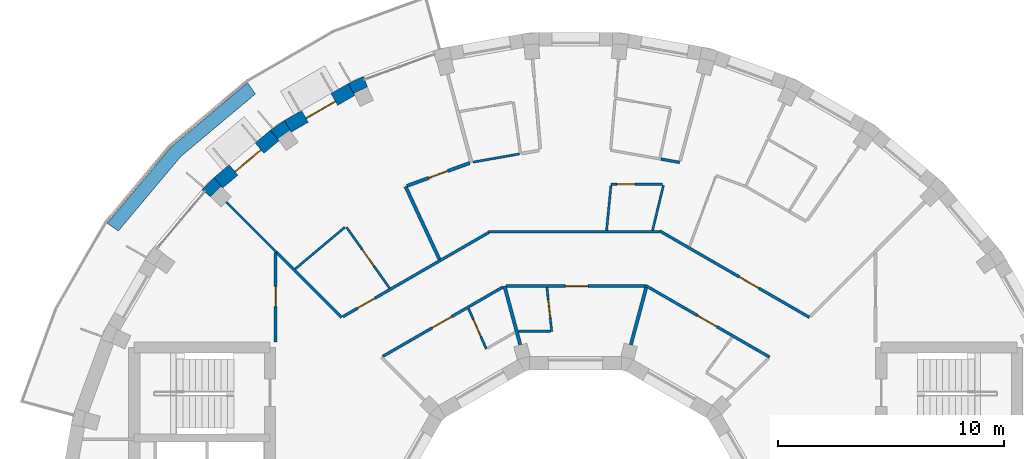
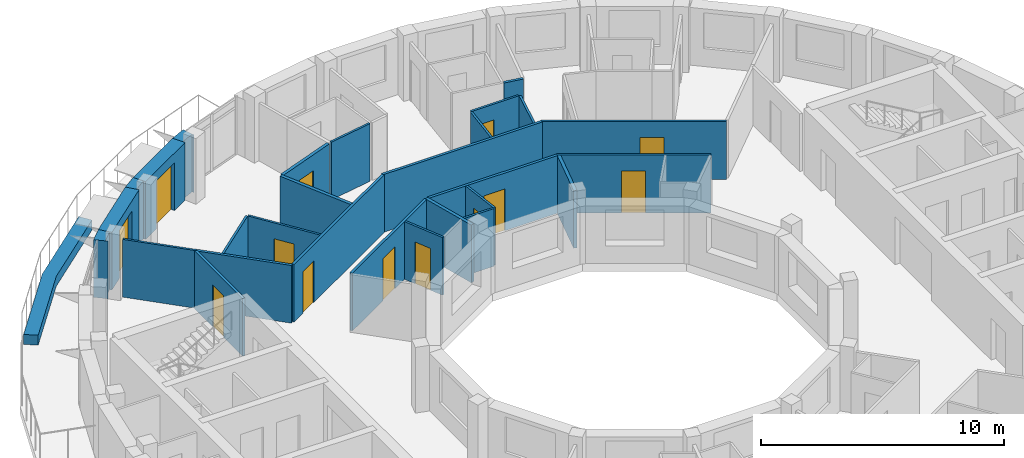
# One storey, part 9 of 12: 29 walls, 13 doors, 13 openings.
"""IFC4 building model written with IfcOpenShell, lengths in metres."""

import ifcopenshell
import ifcopenshell.guid

model = None  # the IFC model being written
_history = None  # IfcOwnerHistory: only IFC2X3 demands one
_inside = {}  # id of a spatial element -> (the spatial element, [elements in it])
_under = {}  # id of a project, library or spatial element -> (it, [spatial elements below it])
_declared = {}  # id of a project -> (the project, [libraries it declares])
_typed = {}  # id of a type object -> (the type object, [elements of that type])
_made_of = {}  # id of a material, layer set ... -> (it, [elements and type objects made of it])


def new_model(schema):
    """Start an empty IFC model of exactly this schema.

    Asked for "IFC4X3", IfcOpenShell would pick the latest addendum, in which some entities
    have other attributes; the version numbers below select the first issue.
    IFC2X3 requires an IfcOwnerHistory on every rooted entity: one is made here for all.
    """
    global model, _history
    if schema == "IFC4X3":
        model = ifcopenshell.file(schema_version=(4, 3, 0, 0))
    else:
        model = ifcopenshell.file(schema=schema)
    _inside.clear()
    _under.clear()
    _declared.clear()
    _typed.clear()
    _made_of.clear()
    _history = None
    if model.schema == "IFC2X3":
        org = make("IfcOrganization", Name="unknown")
        user = make(
            "IfcPersonAndOrganization",
            ThePerson=make("IfcPerson", FamilyName="unknown"),
            TheOrganization=org,
        )
        app = make(
            "IfcApplication",
            ApplicationDeveloper=org,
            Version="unknown",
            ApplicationFullName="unknown",
            ApplicationIdentifier="unknown",
        )
        _history = make(
            "IfcOwnerHistory",
            OwningUser=user,
            OwningApplication=app,
            ChangeAction="ADDED",
            CreationDate=0,
        )
    return model


def make(cls, **values):
    """One entity of the class cls with the attributes given. An attribute that is None is left unset."""
    return model.create_entity(
        cls, **{name: value for name, value in values.items() if value is not None}
    )


def rooted(cls, **values):
    """An entity with a GlobalId (a new one), such as an element, a storey or a relation."""
    return make(cls, GlobalId=ifcopenshell.guid.new(), OwnerHistory=_history, **values)


def si_unit(unit_type, name, prefix=None):
    """IfcSIUnit, for example si_unit("LENGTHUNIT", "METRE", prefix="MILLI")."""
    return make("IfcSIUnit", UnitType=unit_type, Prefix=prefix, Name=name)


def assignment(units):
    """IfcUnitAssignment: the units of a project."""
    return None if units is None else make("IfcUnitAssignment", Units=units)


def point(xyz):
    """IfcCartesianPoint."""
    return None if xyz is None else make("IfcCartesianPoint", Coordinates=xyz)


def direction(xyz):
    """IfcDirection."""
    return None if xyz is None else make("IfcDirection", DirectionRatios=xyz)


def frame(location, z_axis=None, x_axis=None):
    """IfcAxis2Placement3D, a coordinate frame: its origin and axes. An axis left out is left unset."""
    return make(
        "IfcAxis2Placement3D",
        Location=point(location),
        Axis=direction(z_axis),
        RefDirection=direction(x_axis),
    )


def frame_2d(location, x_axis=None):
    """IfcAxis2Placement2D, a coordinate frame in the plane: its origin and x axis."""
    return make(
        "IfcAxis2Placement2D", Location=point(location), RefDirection=direction(x_axis)
    )


def origin():
    """The frame at (0, 0, 0) with its axes left unset."""
    return frame((0.0, 0.0, 0.0))


def place(relative_to, where):
    """IfcLocalPlacement: puts the frame where relative to a parent placement (None: the world)."""
    return make(
        "IfcLocalPlacement", PlacementRelTo=relative_to, RelativePlacement=where
    )


def context(
    kind, dimensions, precision=None, world=None, true_north=None, identifier=None
):
    """IfcGeometricRepresentationContext, for example the 3D "Model" context."""
    return make(
        "IfcGeometricRepresentationContext",
        ContextIdentifier=identifier,
        ContextType=kind,
        CoordinateSpaceDimension=dimensions,
        Precision=precision,
        WorldCoordinateSystem=world,
        TrueNorth=true_north,
    )


def subcontext(parent, identifier, kind, view, scale=None):
    """IfcGeometricRepresentationSubContext, for example "Body" below "Model"."""
    return make(
        "IfcGeometricRepresentationSubContext",
        ContextIdentifier=identifier,
        ContextType=kind,
        ParentContext=parent,
        TargetScale=scale,
        TargetView=view,
    )


def project(units=None, contexts=None):
    """IfcProject with its units and contexts."""
    return rooted(
        "IfcProject",
        Name="project",
        RepresentationContexts=contexts,
        UnitsInContext=assignment(units),
    )


def spatial(cls, under=None, at=None, **own):
    """A site, building, storey or space (cls), placed at a placement, below another one or the project."""
    s = rooted(cls, ObjectPlacement=at, **own)
    if under is not None:
        _under.setdefault(under.id(), (under, []))[1].append(s)
    return s


def polyline(points):
    """IfcPolyline through the points."""
    return make("IfcPolyline", Points=[point(p) for p in points])


def profile(cls, at=None, kind="AREA", **sizes):
    """A parametric profile (cls). Its sizes go by their IFC names, for example OverallWidth=200.0."""
    return make(cls, ProfileType=kind, Position=at, **sizes)


def rectangle(**sizes):
    """IfcRectangleProfileDef."""
    return profile("IfcRectangleProfileDef", **sizes)


def outline(outer, holes=None, kind="AREA"):
    """IfcArbitraryClosedProfileDef: a profile drawn as a closed curve; with holes, ...WithVoids."""
    if holes is None:
        return make("IfcArbitraryClosedProfileDef", ProfileType=kind, OuterCurve=outer)
    return make(
        "IfcArbitraryProfileDefWithVoids",
        ProfileType=kind,
        OuterCurve=outer,
        InnerCurves=holes,
    )


def extrude(swept, where, along, depth):
    """IfcExtrudedAreaSolid: the profile swept, set in the frame where, extruded along a direction by depth."""
    return make(
        "IfcExtrudedAreaSolid",
        SweptArea=swept,
        Position=where,
        ExtrudedDirection=direction(along),
        Depth=depth,
    )


def shape(context_of_items, identifier, shape_type, items):
    """IfcShapeRepresentation: the items that make up one representation, for example the "Body"."""
    return make(
        "IfcShapeRepresentation",
        ContextOfItems=context_of_items,
        RepresentationIdentifier=identifier,
        RepresentationType=shape_type,
        Items=items,
    )


def material(Name=None, Category=None):
    """IfcMaterial."""
    return make("IfcMaterial", Name=Name, Category=Category)


def layer(
    of_material, thickness, ventilated=None, Name=None, Category=None, Priority=None
):
    """IfcMaterialLayer: one layer of a wall or slab, of a material (None: an air gap)."""
    return make(
        "IfcMaterialLayer",
        Material=of_material,
        LayerThickness=thickness,
        IsVentilated=ventilated,
        Name=Name,
        Category=Category,
        Priority=Priority,
    )


def layer_set(layers, Name=None):
    """IfcMaterialLayerSet."""
    return make("IfcMaterialLayerSet", MaterialLayers=layers, LayerSetName=Name)


def made_of(thing, what):
    """Note that an element or type object is made of a material, layer set ...; save() writes the relation."""
    if what is not None:
        _made_of.setdefault(what.id(), (what, []))[1].append(thing)
    return thing


def type_object(cls, material=None, **own):
    """A type object (cls), such as IfcWallType, which elements share."""
    return made_of(rooted(cls, **own), material)


def element(
    cls,
    number,
    at=None,
    inside=None,
    cuts=None,
    type_object=None,
    material=None,
    context=None,
    identifier="Body",
    shape_type=None,
    held_by="IfcProductDefinitionShape",
    body=None,
    shapes=None,
    **own,
):
    """One element of the class cls, such as IfcWall. Its Tag is "e" and its number.

    at: its placement. inside: the storey or other place that contains it. cuts: it is an
    opening in that element (IfcRelVoidsElement). A single representation is given by context,
    identifier, shape_type and body (its items); several are given by shapes. held_by: the class
    of the entity that holds the representations. save() writes the other relations.
    """
    e = rooted(cls, Tag="e%d" % number, ObjectPlacement=at, **own)
    if body is not None:
        shapes = [shape(context, identifier, shape_type, body)]
    if shapes is not None:
        e.Representation = make(held_by, Representations=shapes)
    if inside is not None:
        _inside.setdefault(inside.id(), (inside, []))[1].append(e)
    if cuts is not None:
        rooted(
            "IfcRelVoidsElement", RelatingBuildingElement=cuts, RelatedOpeningElement=e
        )
    if type_object is not None:
        _typed.setdefault(type_object.id(), (type_object, []))[1].append(e)
    return made_of(e, material)


def fill(opening, filler):
    """IfcRelFillsElement: the door or window that sits in an opening."""
    return rooted(
        "IfcRelFillsElement",
        RelatingOpeningElement=opening,
        RelatedBuildingElement=filler,
    )


def aggregate(whole, parts):
    """IfcRelAggregates: a whole, such as a stair, and the parts it consists of."""
    return rooted("IfcRelAggregates", RelatingObject=whole, RelatedObjects=parts)


def save(model, path):
    """Write the relations noted so far, then the file.

    IfcRelAggregates (storeys below a building ...), IfcRelContainedInSpatialStructure (elements
    in a storey), IfcRelDefinesByType, IfcRelAssociatesMaterial and IfcRelDeclares: one each for
    every whole, place, type object, material and project.
    """
    for whole, parts in _under.values():
        aggregate(whole, parts)
    for where, things in _inside.values():
        rooted(
            "IfcRelContainedInSpatialStructure",
            RelatedElements=things,
            RelatingStructure=where,
        )
    for kind, things in _typed.values():
        rooted("IfcRelDefinesByType", RelatedObjects=things, RelatingType=kind)
    for what, things in _made_of.values():
        rooted("IfcRelAssociatesMaterial", RelatedObjects=things, RelatingMaterial=what)
    for by, libraries in _declared.values():
        rooted("IfcRelDeclares", RelatingContext=by, RelatedDefinitions=libraries)
    model.write(path)


model = new_model("IFC4")

# Units and contexts
model_context = context("Model", 3, precision=1e-05, world=origin(), true_north=direction((0.0, 1.0)))
body_context = subcontext(model_context, "Body", "Model", "MODEL_VIEW")
ifc_project = project(units=[si_unit("LENGTHUNIT", "METRE"), si_unit("AREAUNIT", "SQUARE_METRE"), si_unit("VOLUMEUNIT", "CUBIC_METRE"), si_unit("PLANEANGLEUNIT", "RADIAN"), si_unit("MASSUNIT", "GRAM", prefix="KILO")], contexts=[model_context])

# Site, building, storey
site_placement = place(None, origin())
site = spatial("IfcSite", under=ifc_project, at=site_placement, CompositionType="ELEMENT")
building_placement = place(site_placement, origin())
building = spatial("IfcBuilding", under=site, at=building_placement, Name="Saqina Gate Tower", CompositionType="ELEMENT")
storey_placement = place(building_placement, frame((0.0, 0.0, 229.699951171875)))
storey = spatial("IfcBuildingStorey", under=building, at=storey_placement, Name="L65", CompositionType="ELEMENT", Elevation=229.699951171875)

# Walls
ifc_material_1 = material(Name="Brick masonry (buff)", Category="masonry")
wall_type_1 = type_object("IfcWallType", Name="BRICK PIER COPING BUFF", PredefinedType="SOLIDWALL", material=ifc_material_1)
wall_1_placement = place(storey_placement, origin())
element("IfcWall", 1, at=wall_1_placement, inside=storey, type_object=wall_type_1, Name="Pier cap L65 column 12", PredefinedType="SOLIDWALL", context=body_context, shape_type="SweptSolid", body=[
    extrude(outline(polyline([(-9.3642578125, 20.974609375), (-10.048095703125, 20.65576171875), (-9.748291015625, 20.135986328125), (-9.79296875, 20.23193359375), (-9.203857421875, 20.506591796875), (-9.1591796875, 20.410888671875), (-9.3642578125, 20.974609375)])), origin(), (0.0, 0.0, 1.0), 2.900146484375),
])
wall_2_placement = place(storey_placement, origin())
element("IfcWall", 2, at=wall_2_placement, inside=storey, type_object=wall_type_1, Name="Pier cap L65 column 13", PredefinedType="SOLIDWALL", context=body_context, shape_type="SweptSolid", body=[
    extrude(outline(polyline([(-12.8642578125, 19.02978515625), (-13.482421875, 18.59716796875), (-13.0966796875, 18.137451171875), (-13.157470703125, 18.22412109375), (-12.625, 18.596923828125), (-12.564208984375, 18.51025390625), (-12.8642578125, 19.02978515625)])), origin(), (0.0, 0.0, 1.0), 2.900146484375),
])
wall_3_placement = place(storey_placement, origin())
element("IfcWall", 3, at=wall_3_placement, inside=storey, type_object=wall_type_1, Name="Pier cap L65 column 14", PredefinedType="SOLIDWALL", context=body_context, shape_type="SweptSolid", body=[
    extrude(outline(polyline([(-16.5068359375, 15.973388671875), (-16.04736328125, 15.587646484375), (-16.1220703125, 15.662353515625), (-15.662353515625, 16.1220703125), (-15.587646484375, 16.04736328125), (-15.973388671875, 16.5068359375), (-16.5068359375, 15.973388671875)])), origin(), (0.0, 0.0, 1.0), 2.900146484375),
])

# Wall, opening, door
ifc_material_2 = material(Name="Brick masonry (buff)", Category="masonry")
ifc_layer_1 = layer(ifc_material_2, 0.60009765625)
ifc_layer_set_1 = layer_set([ifc_layer_1], Name="FW-BRICK-BUFF")
wall_type_2 = type_object("IfcWallType", Name="FW-BRICK-BUFF", PredefinedType="SOLIDWALL", material=ifc_layer_set_1)
wall_4_placement = place(storey_placement, frame((-9.898193359375, 20.39599609375, 0.0), z_axis=(0.0, 0.0, 1.0), x_axis=(-0.866016800201, -0.500014901547, 0.0)))
wall_4 = element("IfcWall", 4, at=wall_4_placement, inside=storey, type_object=wall_type_2, Name="Facade wall L65 facet 12", PredefinedType="SOLIDWALL", context=body_context, shape_type="SweptSolid", body=[
    extrude(rectangle(XDim=3.251953125, YDim=0.60009765625, at=frame_2d((1.6259765625, 0.0))), origin(), (0.0, 0.0, 1.0), 2.900146484375),
])
opening_1_placement = place(wall_4_placement, frame((0.875732421875, 0.0, 0.0)))
opening_1 = element("IfcOpeningElement", 5, at=opening_1_placement, cuts=wall_4, Name="Opening G19-D80", PredefinedType="OPENING", context=body_context, shape_type="SweptSolid", body=[
    extrude(rectangle(XDim=1.5, YDim=2.39990234375, at=frame_2d((0.75, 1.199951171875))), frame((0.0, 0.31201171875, 0.0), z_axis=(0.0, -1.0, 0.0), x_axis=(1.0, 0.0, 0.0)), (0.0, 0.0, 1.0), 0.6240234375),
])
ifc_material_3 = material(Name="Aluminium glazing", Category="aluminium")
door_type_1 = type_object("IfcDoorType", Name="GD-D", OperationType="DOUBLE_DOOR_SINGLE_SWING", PredefinedType="DOOR", material=ifc_material_3)
door_1_placement = place(opening_1_placement, origin())
door_1 = element("IfcDoor", 6, at=door_1_placement, inside=storey, type_object=door_type_1, Name="Terrace door L65 facet 12", OperationType="DOUBLE_DOOR_SINGLE_SWING", OverallHeight=2.39990234375, OverallWidth=1.5, PredefinedType="DOOR", context=body_context, shape_type="SweptSolid", body=[
    extrude(rectangle(XDim=1.5, YDim=2.39990234375, at=frame_2d((0.75, 1.199951171875))), frame((0.0, 0.125, 0.0), z_axis=(0.0, -1.0, 0.0), x_axis=(1.0, 0.0, 0.0)), (0.0, 0.0, 1.0), 0.050048828125),
])
fill(opening_1, door_1)

wall_5_placement = place(storey_placement, frame((-13.28955078125, 18.3671875, 0.0), z_axis=(0.0, 0.0, 1.0), x_axis=(-0.766056773982, -0.64277291405, 0.0)))
wall_5 = element("IfcWall", 7, at=wall_5_placement, inside=storey, type_object=wall_type_2, Name="Facade wall L65 facet 13", PredefinedType="SOLIDWALL", context=body_context, shape_type="SweptSolid", body=[
    extrude(rectangle(XDim=3.251708984375, YDim=0.60009765625, at=frame_2d((1.6259765625, 0.0))), origin(), (0.0, 0.0, 1.0), 2.900146484375),
])
opening_2_placement = place(wall_5_placement, frame((0.875732421875, 0.0, 0.0)))
opening_2 = element("IfcOpeningElement", 8, at=opening_2_placement, cuts=wall_5, Name="Opening G19-D81", PredefinedType="OPENING", context=body_context, shape_type="SweptSolid", body=[
    extrude(rectangle(XDim=1.5, YDim=2.39990234375, at=frame_2d((0.75, 1.199951171875))), frame((0.0, 0.31201171875, 0.0), z_axis=(0.0, -1.0, 0.0), x_axis=(1.0, 0.0, 0.0)), (0.0, 0.0, 1.0), 0.6240234375),
])
door_2_placement = place(opening_2_placement, origin())
door_2 = element("IfcDoor", 9, at=door_2_placement, inside=storey, type_object=door_type_1, Name="Terrace door L65 facet 13", OperationType="DOUBLE_DOOR_SINGLE_SWING", OverallHeight=2.39990234375, OverallWidth=1.5, PredefinedType="DOOR", context=body_context, shape_type="SweptSolid", body=[
    extrude(rectangle(XDim=1.5, YDim=2.39990234375, at=frame_2d((0.75, 1.199951171875))), frame((0.0, 0.125, 0.0), z_axis=(0.0, -1.0, 0.0), x_axis=(1.0, 0.0, 0.0)), (0.0, 0.0, 1.0), 0.050048828125),
])
fill(opening_2, door_2)

ifc_material_4 = material(Name="Gypsum board on steel studs, 100 mm", Category="steel")
ifc_layer_2 = layer(ifc_material_4, 0.10009765625)
ifc_layer_set_2 = layer_set([ifc_layer_2], Name="PARTITION 100")
wall_type_3 = type_object("IfcWallType", Name="PARTITION 100", PredefinedType="PARTITIONING", material=ifc_layer_set_2)
wall_6_placement = place(storey_placement, frame((-1.26416015625, 11.64794921875, 0.0), z_axis=(0.0, 0.0, 1.0), x_axis=(0.107833146159, -0.99416900605, 0.0)))
wall_6 = element("IfcWall", 10, at=wall_6_placement, inside=storey, type_object=wall_type_3, Name="PARTITION PW3-01", PredefinedType="PARTITIONING", context=body_context, shape_type="SweptSolid", body=[
    extrude(rectangle(XDim=1.949462890625, YDim=0.10009765625, at=frame_2d((0.974609375, 0.0))), origin(), (0.0, 0.0, 1.0), 2.900146484375),
])
opening_3_placement = place(wall_6_placement, frame((0.54345703125, 0.0, 0.0)))
opening_3 = element("IfcOpeningElement", 11, at=opening_3_placement, cuts=wall_6, Name="Opening G19-D14", PredefinedType="OPENING", context=body_context, shape_type="SweptSolid", body=[
    extrude(rectangle(XDim=0.800048828125, YDim=2.10009765625, at=frame_2d((0.39990234375, 1.050048828125))), frame((0.0, 0.06201171875, 0.0), z_axis=(0.0, -1.0, 0.0), x_axis=(1.0, 0.0, 0.0)), (0.0, 0.0, 1.0), 0.1240234375),
])
ifc_material_5 = material(Name="Timber door leaf, 800 mm", Category="wood")
door_type_2 = type_object("IfcDoorType", Name="DOOR 800 TIMBER", OperationType="SINGLE_SWING_LEFT", PredefinedType="DOOR", material=ifc_material_5)
door_3_placement = place(opening_3_placement, origin())
door_3 = element("IfcDoor", 12, at=door_3_placement, inside=storey, type_object=door_type_2, Name="DOOR G19-D14", OperationType="SINGLE_SWING_LEFT", OverallHeight=2.10009765625, OverallWidth=0.800048828125, PredefinedType="DOOR", context=body_context, shape_type="SweptSolid", body=[
    extrude(rectangle(XDim=0.800048828125, YDim=2.10009765625, at=frame_2d((0.39990234375, 1.050048828125))), frame((0.0, 0.02490234375, 0.0), z_axis=(0.0, -1.0, 0.0), x_axis=(1.0, 0.0, 0.0)), (0.0, 0.0, 1.0), 0.050048828125),
])
fill(opening_3, door_3)

wall_7_placement = place(storey_placement, frame((-4.729736328125, 10.71875, 0.0), z_axis=(0.0, 0.0, 1.0), x_axis=(0.403695730551, -0.914893303689, 0.0)))
wall_7 = element("IfcWall", 13, at=wall_7_placement, inside=storey, type_object=wall_type_3, Name="PARTITION PW3-05", PredefinedType="PARTITIONING", context=body_context, shape_type="SweptSolid", body=[
    extrude(rectangle(XDim=1.948486328125, YDim=0.10009765625, at=frame_2d((0.97412109375, 0.0))), origin(), (0.0, 0.0, 1.0), 2.900146484375),
])
opening_4_placement = place(wall_7_placement, frame((0.543212890625, 0.0, 0.0)))
opening_4 = element("IfcOpeningElement", 14, at=opening_4_placement, cuts=wall_7, Name="Opening G19-D17", PredefinedType="OPENING", context=body_context, shape_type="SweptSolid", body=[
    extrude(rectangle(XDim=0.800048828125, YDim=2.10009765625, at=frame_2d((0.39990234375, 1.050048828125))), frame((0.0, 0.06201171875, 0.0), z_axis=(0.0, -1.0, 0.0), x_axis=(1.0, 0.0, 0.0)), (0.0, 0.0, 1.0), 0.1240234375),
])
door_4_placement = place(opening_4_placement, frame((0.800048828125, 0.0, 0.0), z_axis=(0.0, 0.0, 1.0), x_axis=(-1.0, 0.0, 0.0)))
door_4 = element("IfcDoor", 15, at=door_4_placement, inside=storey, type_object=door_type_2, Name="DOOR G19-D17", OperationType="SINGLE_SWING_RIGHT", OverallHeight=2.10009765625, OverallWidth=0.800048828125, PredefinedType="DOOR", context=body_context, shape_type="SweptSolid", body=[
    extrude(rectangle(XDim=0.800048828125, YDim=2.10009765625, at=frame_2d((0.39990234375, 1.050048828125))), frame((0.0, 0.02490234375, 0.0), z_axis=(0.0, -1.0, 0.0), x_axis=(1.0, 0.0, 0.0)), (0.0, 0.0, 1.0), 0.050048828125),
])
fill(opening_4, door_4)

wall_8_placement = place(storey_placement, frame((-10.11572265625, 14.30517578125, 0.0), z_axis=(0.0, 0.0, 1.0), x_axis=(0.577184589489, -0.816613708957, 0.0)))
wall_8 = element("IfcWall", 16, at=wall_8_placement, inside=storey, type_object=wall_type_3, Name="PARTITION PW3-10", PredefinedType="PARTITIONING", context=body_context, shape_type="SweptSolid", body=[
    extrude(rectangle(XDim=3.287353515625, YDim=0.10009765625, at=frame_2d((1.6435546875, 0.0))), origin(), (0.0, 0.0, 1.0), 2.900146484375),
])
opening_5_placement = place(wall_8_placement, frame((1.199951171875, 0.0, 0.0)))
opening_5 = element("IfcOpeningElement", 17, at=opening_5_placement, cuts=wall_8, Name="Opening G19-D19", PredefinedType="OPENING", context=body_context, shape_type="SweptSolid", body=[
    extrude(rectangle(XDim=0.89990234375, YDim=2.10009765625, at=frame_2d((0.449951171875, 1.050048828125))), frame((0.0, 0.06201171875, 0.0), z_axis=(0.0, -1.0, 0.0), x_axis=(1.0, 0.0, 0.0)), (0.0, 0.0, 1.0), 0.1240234375),
])
ifc_material_6 = material(Name="Timber door leaf, 900 mm", Category="wood")
door_type_3 = type_object("IfcDoorType", Name="DOOR 900 TIMBER", OperationType="SINGLE_SWING_LEFT", PredefinedType="DOOR", material=ifc_material_6)
door_5_placement = place(opening_5_placement, origin())
door_5 = element("IfcDoor", 18, at=door_5_placement, inside=storey, type_object=door_type_3, Name="DOOR G19-D19", OperationType="SINGLE_SWING_RIGHT", OverallHeight=2.10009765625, OverallWidth=0.89990234375, PredefinedType="DOOR", context=body_context, shape_type="SweptSolid", body=[
    extrude(rectangle(XDim=0.89990234375, YDim=2.10009765625, at=frame_2d((0.449951171875, 1.050048828125))), frame((0.0, 0.02490234375, 0.0), z_axis=(0.0, -1.0, 0.0), x_axis=(1.0, 0.0, 0.0)), (0.0, 0.0, 1.0), 0.050048828125),
])
fill(opening_5, door_5)

# Walls
wall_9_placement = place(storey_placement, frame((-15.425537109375, 15.425537109375, 0.0), z_axis=(0.0, 0.0, 1.0), x_axis=(0.707106781187, -0.707106781187, 0.0)))
element("IfcWall", 19, at=wall_9_placement, inside=storey, type_object=wall_type_3, Name="PARTITION PW3-12", PredefinedType="PARTITIONING", context=body_context, shape_type="SweptSolid", body=[
    extrude(rectangle(XDim=3.126708984375, YDim=0.10009765625, at=frame_2d((1.5634765625, 0.0))), origin(), (0.0, 0.0, 1.0), 2.900146484375),
])
wall_10_placement = place(storey_placement, frame((-2.527099609375, 9.7099609375, 0.0), z_axis=(0.0, 0.0, 1.0), x_axis=(1.0, 0.0, 0.0)))
element("IfcWall", 20, at=wall_10_placement, inside=storey, type_object=wall_type_3, Name="PARTITION PW3-27", PredefinedType="PARTITIONING", context=body_context, shape_type="SweptSolid", body=[
    extrude(rectangle(XDim=1.423095703125, YDim=0.10009765625, at=frame_2d((0.71142578125, 0.0))), origin(), (0.0, 0.0, 1.0), 2.900146484375),
])

# Wall, opening, door
wall_11_placement = place(storey_placement, frame((1.571044921875, 16.2099609375, 0.0), z_axis=(0.0, 0.0, 1.0), x_axis=(1.0, 0.0, 0.0)))
wall_11 = element("IfcWall", 21, at=wall_11_placement, inside=storey, type_object=wall_type_3, Name="PARTITION PW3-28", PredefinedType="PARTITIONING", context=body_context, shape_type="SweptSolid", body=[
    extrude(rectangle(XDim=2.26806640625, YDim=0.10009765625, at=frame_2d((1.134033203125, 0.0))), origin(), (0.0, 0.0, 1.0), 2.900146484375),
])
opening_6_placement = place(wall_11_placement, frame((0.259033203125, 0.0, 0.0)))
opening_6 = element("IfcOpeningElement", 22, at=opening_6_placement, cuts=wall_11, Name="Opening G19-D10", PredefinedType="OPENING", context=body_context, shape_type="SweptSolid", body=[
    extrude(rectangle(XDim=0.800048828125, YDim=2.10009765625, at=frame_2d((0.39990234375, 1.050048828125))), frame((0.0, 0.06201171875, 0.0), z_axis=(0.0, -1.0, 0.0), x_axis=(1.0, 0.0, 0.0)), (0.0, 0.0, 1.0), 0.1240234375),
])
door_6_placement = place(opening_6_placement, origin())
door_6 = element("IfcDoor", 23, at=door_6_placement, inside=storey, type_object=door_type_2, Name="DOOR G19-D10", OperationType="SINGLE_SWING_LEFT", OverallHeight=2.10009765625, OverallWidth=0.800048828125, PredefinedType="DOOR", context=body_context, shape_type="SweptSolid", body=[
    extrude(rectangle(XDim=0.800048828125, YDim=2.10009765625, at=frame_2d((0.39990234375, 1.050048828125))), frame((0.0, 0.02490234375, 0.0), z_axis=(0.0, -1.0, 0.0), x_axis=(1.0, 0.0, 0.0)), (0.0, 0.0, 1.0), 0.050048828125),
])
fill(opening_6, door_6)

# Walls
wall_12_placement = place(storey_placement, frame((-4.528076171875, 17.18701171875, 0.0), z_axis=(0.0, 0.0, 1.0), x_axis=(0.984788286148, 0.173758543574, 0.0)))
element("IfcWall", 24, at=wall_12_placement, inside=storey, type_object=wall_type_3, Name="PARTITION PW3-29", PredefinedType="PARTITIONING", context=body_context, shape_type="SweptSolid", body=[
    extrude(rectangle(XDim=2.07958984375, YDim=0.10009765625, at=frame_2d((1.039794921875, 0.0))), origin(), (0.0, 0.0, 1.0), 2.900146484375),
])
wall_13_placement = place(storey_placement, frame((-12.382080078125, 12.47021484375, 0.0), z_axis=(0.0, 0.0, 1.0), x_axis=(0.765817138438, 0.643058403627, 0.0)))
element("IfcWall", 25, at=wall_13_placement, inside=storey, type_object=wall_type_3, Name="PARTITION PW3-38", PredefinedType="PARTITIONING", context=body_context, shape_type="SweptSolid", body=[
    extrude(rectangle(XDim=2.869873046875, YDim=0.10009765625, at=frame_2d((1.43505859375, 0.0))), origin(), (0.0, 0.0, 1.0), 2.900146484375),
])
wall_14_placement = place(storey_placement, frame((3.402587890625, 14.170654296875, 0.0), z_axis=(0.0, 0.0, 1.0), x_axis=(0.233377462785, 0.972386219495, 0.0)))
element("IfcWall", 26, at=wall_14_placement, inside=storey, type_object=wall_type_3, Name="PARTITION PW3-49", PredefinedType="PARTITIONING", context=body_context, shape_type="SweptSolid", body=[
    extrude(rectangle(XDim=2.04736328125, YDim=0.10009765625, at=frame_2d((1.023681640625, 0.0))), origin(), (0.0, 0.0, 1.0), 2.900146484375),
])
wall_15_placement = place(storey_placement, frame((1.3720703125, 14.172119140625, 0.0), z_axis=(0.0, 0.0, 1.0), x_axis=(0.096199186447, 0.99536210322, 0.0)))
element("IfcWall", 27, at=wall_15_placement, inside=storey, type_object=wall_type_3, Name="PARTITION PW3-54", PredefinedType="PARTITIONING", context=body_context, shape_type="SweptSolid", body=[
    extrude(rectangle(XDim=1.997314453125, YDim=0.10009765625, at=frame_2d((0.99853515625, 0.0))), origin(), (0.0, 0.0, 1.0), 2.900146484375),
])
ifc_material_7 = material(Name="Gypsum board on steel studs, 125 mm, fire rated", Category="steel")
ifc_layer_3 = layer(ifc_material_7, 0.125)
ifc_layer_set_3 = layer_set([ifc_layer_3], Name="PARTITION EI 30 125")
wall_type_4 = type_object("IfcWallType", Name="PARTITION EI 30 125", PredefinedType="PARTITIONING", material=ifc_layer_set_3)
wall_16_placement = place(storey_placement, frame((-13.214599609375, 13.214599609375, 0.0), z_axis=(0.0, 0.0, 1.0), x_axis=(0.707106781187, -0.707106781187, 0.0)))
element("IfcWall", 28, at=wall_16_placement, inside=storey, type_object=wall_type_4, Name="PARTITION PW1-04", PredefinedType="PARTITIONING", context=body_context, shape_type="SweptSolid", body=[
    extrude(rectangle(XDim=4.080810546875, YDim=0.125, at=frame_2d((2.04052734375, 0.0))), origin(), (0.0, 0.0, 1.0), 2.900146484375),
])

# Wall, opening, door
wall_17_placement = place(storey_placement, frame((3.075439453125, 11.74609375, 0.0), z_axis=(0.0, 0.0, 1.0), x_axis=(0.865983161714, -0.500073158277, 0.0)))
wall_17 = element("IfcWall", 29, at=wall_17_placement, inside=storey, type_object=wall_type_4, Name="PARTITION PW1-11", PredefinedType="PARTITIONING", context=body_context, shape_type="SweptSolid", body=[
    extrude(rectangle(XDim=6.34716796875, YDim=0.125, at=frame_2d((3.173583984375, 0.0))), origin(), (0.0, 0.0, 1.0), 2.900146484375),
])
opening_7_placement = place(wall_17_placement, frame((2.65869140625, 0.0, 0.0)))
opening_7 = element("IfcOpeningElement", 30, at=opening_7_placement, cuts=wall_17, Name="Opening G19-D05", PredefinedType="OPENING", context=body_context, shape_type="SweptSolid", body=[
    extrude(rectangle(XDim=1.0, YDim=2.10009765625, at=frame_2d((0.5, 1.050048828125))), frame((0.0, 0.074462890625, 0.0), z_axis=(0.0, -1.0, 0.0), x_axis=(1.0, 0.0, 0.0)), (0.0, 0.0, 1.0), 0.14892578125),
])
ifc_material_8 = material(Name="Fire door leaf EI 30, 1000 mm")
door_type_4 = type_object("IfcDoorType", Name="DOOR 1000 EI 30", OperationType="SINGLE_SWING_LEFT", PredefinedType="DOOR", material=ifc_material_8)
door_7_placement = place(opening_7_placement, frame((1.0, 0.0, 0.0), z_axis=(0.0, 0.0, 1.0), x_axis=(-1.0, 0.0, 0.0)))
door_7 = element("IfcDoor", 31, at=door_7_placement, inside=storey, type_object=door_type_4, Name="DOOR G19-D05", OperationType="SINGLE_SWING_RIGHT", OverallHeight=2.10009765625, OverallWidth=1.0, PredefinedType="DOOR", context=body_context, shape_type="SweptSolid", body=[
    extrude(rectangle(XDim=1.0, YDim=2.10009765625, at=frame_2d((0.5, 1.050048828125))), frame((0.0, 0.02490234375, 0.0), z_axis=(0.0, -1.0, 0.0), x_axis=(1.0, 0.0, 0.0)), (0.0, 0.0, 1.0), 0.050048828125),
])
fill(opening_7, door_7)

wall_18_placement = place(storey_placement, frame((3.717529296875, 14.146728515625, 0.0), z_axis=(0.0, 0.0, 1.0), x_axis=(0.866000791713, -0.500042626935, 0.0)))
wall_18 = element("IfcWall", 32, at=wall_18_placement, inside=storey, type_object=wall_type_4, Name="PARTITION PW1-12", PredefinedType="PARTITIONING", context=body_context, shape_type="SweptSolid", body=[
    extrude(rectangle(XDim=7.634521484375, YDim=0.125, at=frame_2d((3.8173828125, 0.0))), origin(), (0.0, 0.0, 1.0), 2.900146484375),
])
opening_8_placement = place(wall_18_placement, frame((4.064208984375, 0.0, 0.0)))
opening_8 = element("IfcOpeningElement", 33, at=opening_8_placement, cuts=wall_18, Name="Opening G19-D04", PredefinedType="OPENING", context=body_context, shape_type="SweptSolid", body=[
    extrude(rectangle(XDim=1.0, YDim=2.10009765625, at=frame_2d((0.5, 1.050048828125))), frame((0.0, 0.074462890625, 0.0), z_axis=(0.0, -1.0, 0.0), x_axis=(1.0, 0.0, 0.0)), (0.0, 0.0, 1.0), 0.14892578125),
])
door_8_placement = place(opening_8_placement, origin())
door_8 = element("IfcDoor", 34, at=door_8_placement, inside=storey, type_object=door_type_4, Name="DOOR G19-D04", OperationType="SINGLE_SWING_RIGHT", OverallHeight=2.10009765625, OverallWidth=1.0, PredefinedType="DOOR", context=body_context, shape_type="SweptSolid", body=[
    extrude(rectangle(XDim=1.0, YDim=2.10009765625, at=frame_2d((0.5, 1.050048828125))), frame((0.0, 0.02490234375, 0.0), z_axis=(0.0, -1.0, 0.0), x_axis=(1.0, 0.0, 0.0)), (0.0, 0.0, 1.0), 0.050048828125),
])
fill(opening_8, door_8)

# Wall
wall_19_placement = place(storey_placement, frame((3.769287109375, 17.3212890625, 0.0), z_axis=(0.0, 0.0, 1.0), x_axis=(0.984637698915, -0.174609856179, 0.0)))
element("IfcWall", 35, at=wall_19_placement, inside=storey, type_object=wall_type_4, Name="PARTITION PW1-14", PredefinedType="PARTITIONING", context=body_context, shape_type="SweptSolid", body=[
    extrude(rectangle(XDim=0.844482421875, YDim=0.125, at=frame_2d((0.42236328125, 0.0))), origin(), (0.0, 0.0, 1.0), 2.900146484375),
])

# Wall, opening, door
wall_20_placement = place(storey_placement, frame((-3.06298828125, 11.7099609375, 0.0), z_axis=(0.0, 0.0, 1.0), x_axis=(1.0, 0.0, 0.0)))
wall_20 = element("IfcWall", 36, at=wall_20_placement, inside=storey, type_object=wall_type_4, Name="PARTITION PW1-19", PredefinedType="PARTITIONING", context=body_context, shape_type="SweptSolid", body=[
    extrude(rectangle(XDim=6.138427734375, YDim=0.125, at=frame_2d((3.0693359375, 0.0))), origin(), (0.0, 0.0, 1.0), 2.900146484375),
])
opening_9_placement = place(wall_20_placement, frame((2.613525390625, 0.0, 0.0)))
opening_9 = element("IfcOpeningElement", 37, at=opening_9_placement, cuts=wall_20, Name="Opening G19-D12", PredefinedType="OPENING", context=body_context, shape_type="SweptSolid", body=[
    extrude(rectangle(XDim=1.0, YDim=2.10009765625, at=frame_2d((0.5, 1.050048828125))), frame((0.0, 0.074462890625, 0.0), z_axis=(0.0, -1.0, 0.0), x_axis=(1.0, 0.0, 0.0)), (0.0, 0.0, 1.0), 0.14892578125),
])
door_9_placement = place(opening_9_placement, frame((1.0, 0.0, 0.0), z_axis=(0.0, 0.0, 1.0), x_axis=(-1.0, 0.0, 0.0)))
door_9 = element("IfcDoor", 38, at=door_9_placement, inside=storey, type_object=door_type_4, Name="DOOR G19-D12", OperationType="SINGLE_SWING_LEFT", OverallHeight=2.10009765625, OverallWidth=1.0, PredefinedType="DOOR", context=body_context, shape_type="SweptSolid", body=[
    extrude(rectangle(XDim=1.0, YDim=2.10009765625, at=frame_2d((0.5, 1.050048828125))), frame((0.0, 0.02490234375, 0.0), z_axis=(0.0, -1.0, 0.0), x_axis=(1.0, 0.0, 0.0)), (0.0, 0.0, 1.0), 0.050048828125),
])
fill(opening_9, door_9)

# Wall
wall_21_placement = place(storey_placement, frame((-3.853271484375, 14.110107421875, 0.0), z_axis=(0.0, 0.0, 1.0), x_axis=(1.0, 0.0, 0.0)))
element("IfcWall", 39, at=wall_21_placement, inside=storey, type_object=wall_type_4, Name="PARTITION PW1-20", PredefinedType="PARTITIONING", context=body_context, shape_type="SweptSolid", body=[
    extrude(rectangle(XDim=7.57080078125, YDim=0.125, at=frame_2d((3.785400390625, 0.0))), origin(), (0.0, 0.0, 1.0), 2.900146484375),
])

# Wall, opening, door
wall_22_placement = place(storey_placement, frame((-8.517822265625, 8.603271484375, 0.0), z_axis=(0.0, 0.0, 1.0), x_axis=(0.865972267571, 0.50009202333, 0.0)))
wall_22 = element("IfcWall", 40, at=wall_22_placement, inside=storey, type_object=wall_type_4, Name="PARTITION PW1-27", PredefinedType="PARTITIONING", context=body_context, shape_type="SweptSolid", body=[
    extrude(rectangle(XDim=6.137451171875, YDim=0.125, at=frame_2d((3.06884765625, 0.0))), origin(), (0.0, 0.0, 1.0), 2.900146484375),
])
opening_10_placement = place(wall_22_placement, frame((2.524169921875, 0.0, 0.0)))
opening_10 = element("IfcOpeningElement", 41, at=opening_10_placement, cuts=wall_22, Name="Opening G19-D18", PredefinedType="OPENING", context=body_context, shape_type="SweptSolid", body=[
    extrude(rectangle(XDim=1.0, YDim=2.10009765625, at=frame_2d((0.5, 1.050048828125))), frame((0.0, 0.074462890625, 0.0), z_axis=(0.0, -1.0, 0.0), x_axis=(1.0, 0.0, 0.0)), (0.0, 0.0, 1.0), 0.14892578125),
])
door_10_placement = place(opening_10_placement, frame((1.0, 0.0, 0.0), z_axis=(0.0, 0.0, 1.0), x_axis=(-1.0, 0.0, 0.0)))
door_10 = element("IfcDoor", 42, at=door_10_placement, inside=storey, type_object=door_type_4, Name="DOOR G19-D18", OperationType="SINGLE_SWING_RIGHT", OverallHeight=2.10009765625, OverallWidth=1.0, PredefinedType="DOOR", context=body_context, shape_type="SweptSolid", body=[
    extrude(rectangle(XDim=1.0, YDim=2.10009765625, at=frame_2d((0.5, 1.050048828125))), frame((0.0, 0.02490234375, 0.0), z_axis=(0.0, -1.0, 0.0), x_axis=(1.0, 0.0, 0.0)), (0.0, 0.0, 1.0), 0.050048828125),
])
fill(opening_10, door_10)

wall_23_placement = place(storey_placement, frame((-10.27490234375, 10.3603515625, 0.0), z_axis=(0.0, 0.0, 1.0), x_axis=(0.865993671729, 0.500054957505, 0.0)))
wall_23 = element("IfcWall", 43, at=wall_23_placement, inside=storey, type_object=wall_type_4, Name="PARTITION PW1-28", PredefinedType="PARTITIONING", context=body_context, shape_type="SweptSolid", body=[
    extrude(rectangle(XDim=7.436279296875, YDim=0.125, at=frame_2d((3.71826171875, 0.0))), origin(), (0.0, 0.0, 1.0), 2.900146484375),
])
opening_11_placement = place(wall_23_placement, frame((0.7275390625, 0.0, 0.0)))
opening_11 = element("IfcOpeningElement", 44, at=opening_11_placement, cuts=wall_23, Name="Opening G19-D20", PredefinedType="OPENING", context=body_context, shape_type="SweptSolid", body=[
    extrude(rectangle(XDim=0.89990234375, YDim=2.10009765625, at=frame_2d((0.449951171875, 1.050048828125))), frame((0.0, 0.074462890625, 0.0), z_axis=(0.0, -1.0, 0.0), x_axis=(1.0, 0.0, 0.0)), (0.0, 0.0, 1.0), 0.14892578125),
])
ifc_material_9 = material(Name="Fire door leaf EI 30, 900 mm")
door_type_5 = type_object("IfcDoorType", Name="DOOR 900 EI 30", OperationType="SINGLE_SWING_LEFT", PredefinedType="DOOR", material=ifc_material_9)
door_11_placement = place(opening_11_placement, origin())
door_11 = element("IfcDoor", 45, at=door_11_placement, inside=storey, type_object=door_type_5, Name="DOOR G19-D20", OperationType="SINGLE_SWING_LEFT", OverallHeight=2.10009765625, OverallWidth=0.89990234375, PredefinedType="DOOR", context=body_context, shape_type="SweptSolid", body=[
    extrude(rectangle(XDim=0.89990234375, YDim=2.10009765625, at=frame_2d((0.449951171875, 1.050048828125))), frame((0.0, 0.02490234375, 0.0), z_axis=(0.0, -1.0, 0.0), x_axis=(1.0, 0.0, 0.0)), (0.0, 0.0, 1.0), 0.050048828125),
])
fill(opening_11, door_11)

wall_24_placement = place(storey_placement, frame((-13.25, 9.25, 0.0), z_axis=(0.0, 0.0, 1.0), x_axis=(0.0, 1.0, 0.0)))
wall_24 = element("IfcWall", 46, at=wall_24_placement, inside=storey, type_object=wall_type_4, Name="PARTITION PW1-43", PredefinedType="PARTITIONING", context=body_context, shape_type="SweptSolid", body=[
    extrude(rectangle(XDim=3.9375, YDim=0.125, at=frame_2d((1.96875, 0.0))), origin(), (0.0, 0.0, 1.0), 2.900146484375),
])
opening_12_placement = place(wall_24_placement, frame((1.550048828125, 0.0, 0.0)))
opening_12 = element("IfcOpeningElement", 47, at=opening_12_placement, cuts=wall_24, Name="Opening G19-D21", PredefinedType="OPENING", context=body_context, shape_type="SweptSolid", body=[
    extrude(rectangle(XDim=0.89990234375, YDim=2.10009765625, at=frame_2d((0.449951171875, 1.050048828125))), frame((0.0, 0.074462890625, 0.0), z_axis=(0.0, -1.0, 0.0), x_axis=(1.0, 0.0, 0.0)), (0.0, 0.0, 1.0), 0.14892578125),
])
door_12_placement = place(opening_12_placement, origin())
door_12 = element("IfcDoor", 48, at=door_12_placement, inside=storey, type_object=door_type_5, Name="DOOR G19-D21", OperationType="SINGLE_SWING_RIGHT", OverallHeight=2.10009765625, OverallWidth=0.89990234375, PredefinedType="DOOR", context=body_context, shape_type="SweptSolid", body=[
    extrude(rectangle(XDim=0.89990234375, YDim=2.10009765625, at=frame_2d((0.449951171875, 1.050048828125))), frame((0.0, 0.02490234375, 0.0), z_axis=(0.0, -1.0, 0.0), x_axis=(1.0, 0.0, 0.0)), (0.0, 0.0, 1.0), 0.050048828125),
])
fill(opening_12, door_12)

# Walls
ifc_material_10 = material(Name="Gypsum board on steel studs, 150 mm, fire rated", Category="steel")
ifc_layer_4 = layer(ifc_material_10, 0.14990234375)
ifc_layer_set_4 = layer_set([ifc_layer_4], Name="PARTITION EI 60 150")
wall_type_5 = type_object("IfcWallType", Name="PARTITION EI 60 150", PredefinedType="PARTITIONING", material=ifc_layer_set_4)
wall_25_placement = place(storey_placement, frame((-3.137939453125, 11.7099609375, 0.0), z_axis=(0.0, 0.0, 1.0), x_axis=(0.258807397729, -0.965928947118, 0.0)))
element("IfcWall", 49, at=wall_25_placement, inside=storey, type_object=wall_type_5, Name="PARTITION PW2-03", PredefinedType="PARTITIONING", context=body_context, shape_type="SweptSolid", body=[
    extrude(rectangle(XDim=2.680908203125, YDim=0.14990234375, at=frame_2d((1.34033203125, 0.0))), origin(), (0.0, 0.0, 1.0), 2.900146484375),
])
wall_26_placement = place(storey_placement, frame((-7.51318359375, 16.1123046875, 0.0), z_axis=(0.0, 0.0, 1.0), x_axis=(0.42248263036, -0.906371020634, 0.0)))
element("IfcWall", 50, at=wall_26_placement, inside=storey, type_object=wall_type_5, Name="PARTITION PW2-05", PredefinedType="PARTITIONING", context=body_context, shape_type="SweptSolid", body=[
    extrude(rectangle(XDim=3.550537109375, YDim=0.14990234375, at=frame_2d((1.775390625, 0.0))), origin(), (0.0, 0.0, 1.0), 2.900146484375),
])

# Wall, opening, door
wall_27_placement = place(storey_placement, frame((-7.441650390625, 16.1396484375, 0.0), z_axis=(0.0, 0.0, 1.0), x_axis=(0.939459000347, 0.342661329401, 0.0)))
wall_27 = element("IfcWall", 51, at=wall_27_placement, inside=storey, type_object=wall_type_5, Name="PARTITION PW2-06", PredefinedType="PARTITIONING", context=body_context, shape_type="SweptSolid", body=[
    extrude(rectangle(XDim=2.9453125, YDim=0.14990234375, at=frame_2d((1.47265625, 0.0))), origin(), (0.0, 0.0, 1.0), 2.900146484375),
])
opening_13_placement = place(wall_27_placement, frame((1.022705078125, 0.0, 0.0)))
opening_13 = element("IfcOpeningElement", 52, at=opening_13_placement, cuts=wall_27, Name="Opening G19-D16", PredefinedType="OPENING", context=body_context, shape_type="SweptSolid", body=[
    extrude(rectangle(XDim=0.89990234375, YDim=2.10009765625, at=frame_2d((0.449951171875, 1.050048828125))), frame((0.0, 0.0869140625, 0.0), z_axis=(0.0, -1.0, 0.0), x_axis=(1.0, 0.0, 0.0)), (0.0, 0.0, 1.0), 0.173828125),
])
door_13_placement = place(opening_13_placement, frame((0.89990234375, 0.0, 0.0), z_axis=(0.0, 0.0, 1.0), x_axis=(-1.0, 0.0, 0.0)))
door_13 = element("IfcDoor", 53, at=door_13_placement, inside=storey, type_object=door_type_5, Name="DOOR G19-D16", OperationType="SINGLE_SWING_LEFT", OverallHeight=2.10009765625, OverallWidth=0.89990234375, PredefinedType="DOOR", context=body_context, shape_type="SweptSolid", body=[
    extrude(rectangle(XDim=0.89990234375, YDim=2.10009765625, at=frame_2d((0.449951171875, 1.050048828125))), frame((0.0, 0.02490234375, 0.0), z_axis=(0.0, -1.0, 0.0), x_axis=(1.0, 0.0, 0.0)), (0.0, 0.0, 1.0), 0.050048828125),
])
fill(opening_13, door_13)

# Walls
wall_28_placement = place(storey_placement, frame((2.444091796875, 9.120361328125, 0.0), z_axis=(0.0, 0.0, 1.0), x_axis=(0.258736085224, 0.965948051503, 0.0)))
element("IfcWall", 54, at=wall_28_placement, inside=storey, type_object=wall_type_5, Name="PARTITION PW2-10", PredefinedType="PARTITIONING", context=body_context, shape_type="SweptSolid", body=[
    extrude(rectangle(XDim=2.618408203125, YDim=0.14990234375, at=frame_2d((1.30908203125, 0.0))), origin(), (0.0, 0.0, 1.0), 2.900146484375),
])
ifc_material_11 = material(Name="Brick masonry (red)", Category="masonry")
ifc_layer_5 = layer(ifc_material_11, 0.60009765625)
ifc_layer_set_5 = layer_set([ifc_layer_5], Name="PL-PLANTER")
wall_type_6 = type_object("IfcWallType", Name="PL-PLANTER", PredefinedType="PARAPET", material=ifc_layer_set_5)
wall_29_placement = place(storey_placement, origin())
element("IfcWall", 55, at=wall_29_placement, inside=storey, type_object=wall_type_6, Name="Planter L65", PredefinedType="PARAPET", context=body_context, shape_type="SweptSolid", body=[
    extrude(outline(polyline([(-14.48779296875, 20.690673828125), (-17.860595703125, 17.860595703125), (-20.690673828125, 14.48779296875), (-20.197265625, 14.142333984375), (-17.4345703125, 17.4345703125), (-14.142333984375, 20.197265625), (-14.48779296875, 20.690673828125)])), origin(), (0.0, 0.0, 1.0), 0.5),
])

save(model, "model.ifc")
